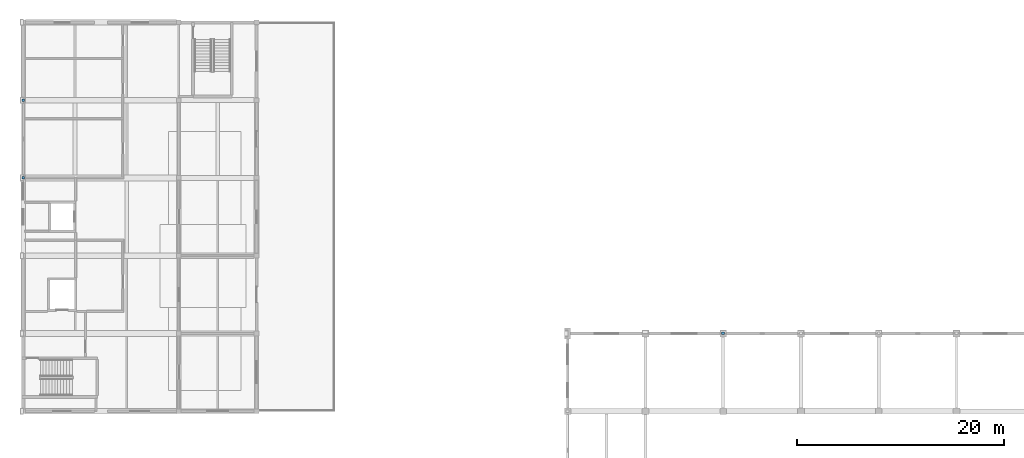
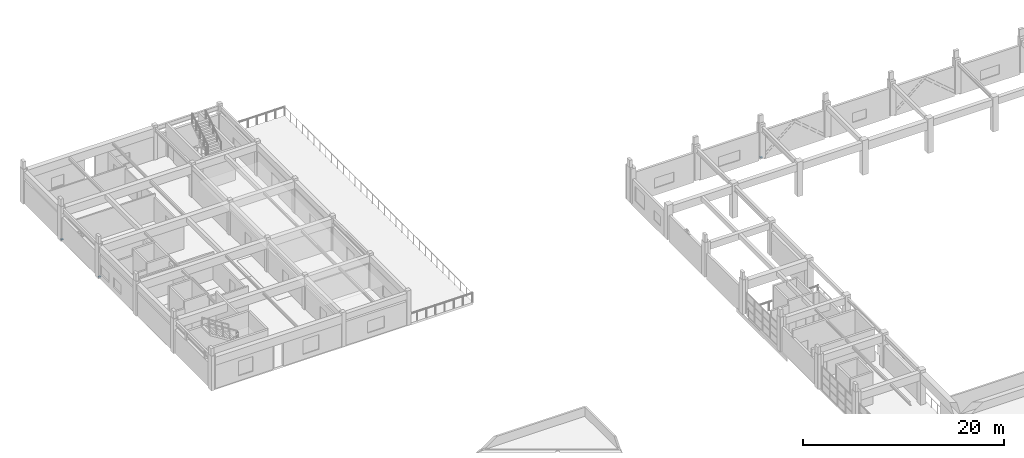
# One storey, part 42 of 51: 3 discrete accessories.
"""IFC4 building model written with IfcOpenShell, lengths in metres."""

from ifc_helpers import new_model, si_unit, direction, frame, origin, origin_2d, place, context, subcontext, project, spatial, rectangle, extrude, material, type_object, element, save


model = new_model("IFC4")

# Units and contexts
model_context = context("Model", 3, precision=1e-05, world=origin(), true_north=direction((0.0, 1.0)))
body_context = subcontext(model_context, "Body", "Model", "MODEL_VIEW")
ifc_project = project(units=[si_unit("LENGTHUNIT", "METRE"), si_unit("AREAUNIT", "SQUARE_METRE"), si_unit("VOLUMEUNIT", "CUBIC_METRE"), si_unit("PLANEANGLEUNIT", "RADIAN"), si_unit("MASSUNIT", "GRAM", prefix="KILO")], contexts=[model_context])

# Site, building, storey
site_placement = place(None, origin())
site = spatial("IfcSite", under=ifc_project, at=site_placement, CompositionType="ELEMENT")
building_placement = place(site_placement, origin())
building = spatial("IfcBuilding", under=site, at=building_placement, Name="Qasida Concert Hall", CompositionType="ELEMENT")
storey_placement = place(building_placement, frame((0.0, 0.0, 21.0)))
storey = spatial("IfcBuildingStorey", under=building, at=storey_placement, Name="L05", CompositionType="ELEMENT", Elevation=21.0)

# Discrete accessories
ifc_material = material(Name="Steel S355J2", Category="steel")
discrete_accessory_type = type_object("IfcDiscreteAccessoryType", Name="ACC-CONN-S355", PredefinedType="BRACKET", material=ifc_material)
for number, where, z_axis, x_axis, name in (
    (1, (67.5, 82.5, -0.011962890625), (0.0, 0.0, 1.0), (1.0, 0.0, 0.0), "Steel brace/strut end connection CN-0214"),
    (2, (0.0, 97.5, -0.011962890625), (0.0, 0.0, 1.0), (1.0, 0.0, 0.0), "Steel brace/strut end connection CN-0246"),
    (3, (0.0, 105.0, -0.011962890625), (0.0, 0.0, 1.0), (1.0, 0.0, 0.0), "Steel brace/strut end connection CN-0247"),
):
    element("IfcDiscreteAccessory", number, at=place(storey_placement, frame(where, z_axis=z_axis, x_axis=x_axis)), inside=storey, type_object=discrete_accessory_type, Name=name, PredefinedType="BRACKET", context=body_context, shape_type="SweptSolid", body=[
        extrude(rectangle(XDim=0.280029296875, YDim=0.239990234375, at=origin_2d()), origin(), (0.0, 0.0, 1.0), 0.02392578125),
    ])

save(model, "model.ifc")
